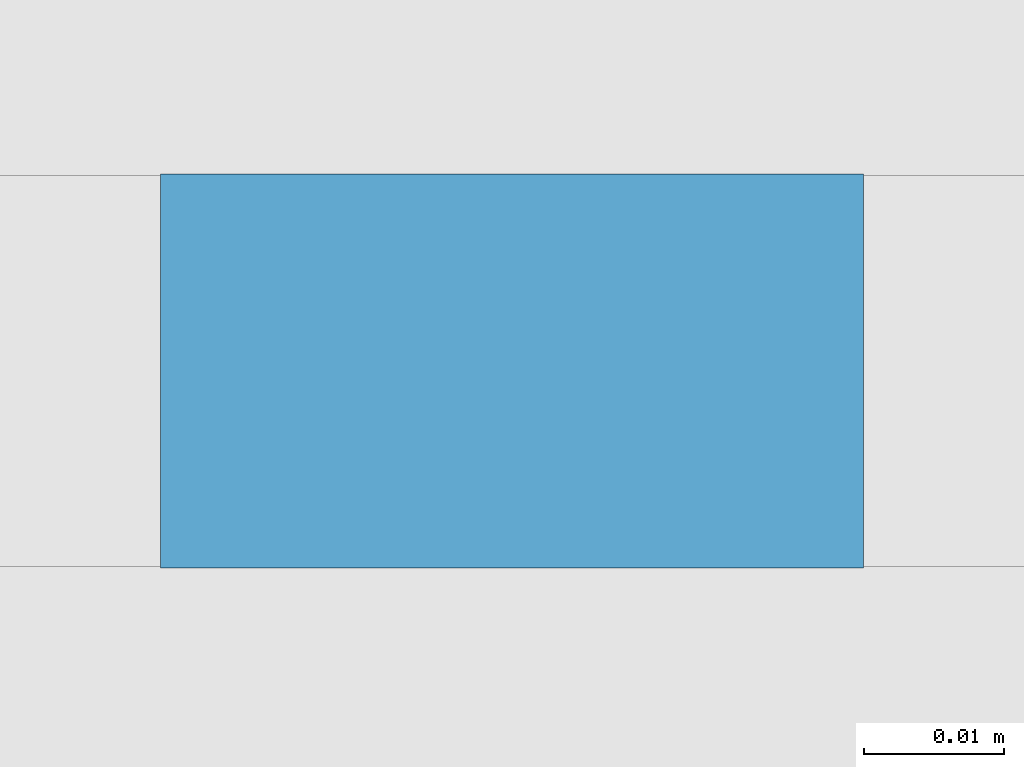
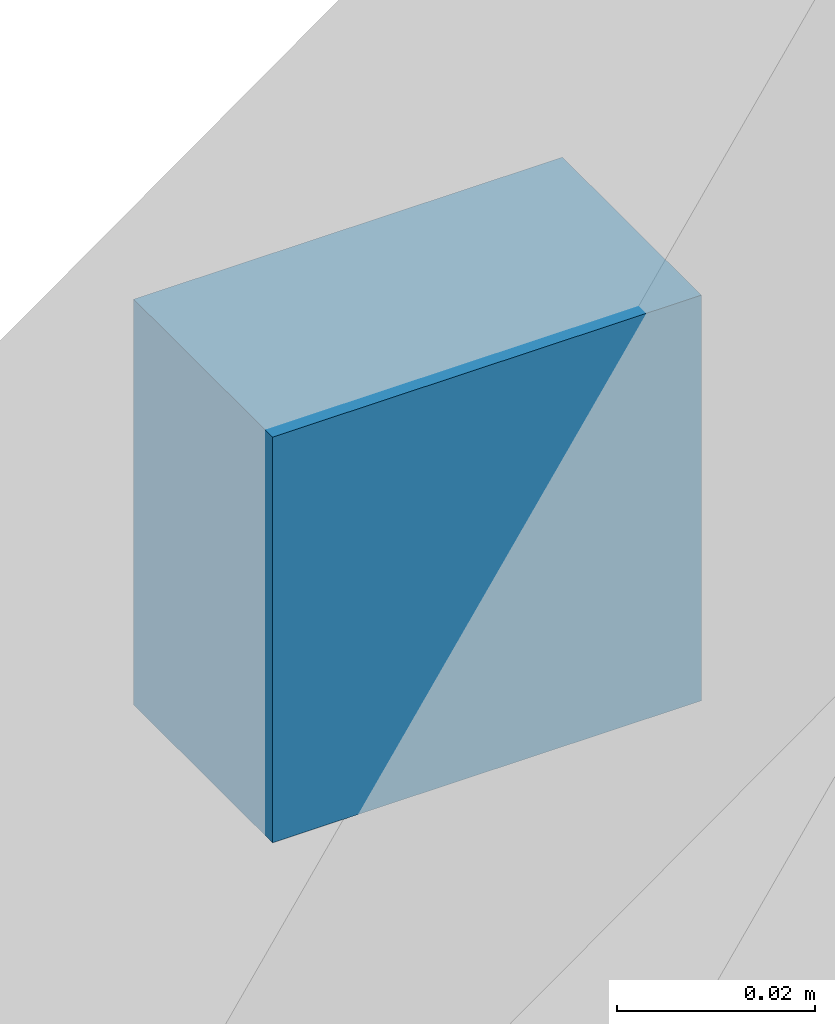
# One storey, part 11 of 16: 1 discrete accessory, 1 element without a shape of its own.
"""IFC4 building model written with IfcOpenShell, lengths in metres."""

from ifc_helpers import new_model, si_unit, direction, frame, origin, origin_2d, place, context, subcontext, project, spatial, rectangle, extrude, material, type_object, element, aggregate, save


model = new_model("IFC4")

# Units and contexts
model_context = context("Model", 3, precision=1e-05, world=origin(), true_north=direction((0.0, 1.0)))
body_context = subcontext(model_context, "Body", "Model", "MODEL_VIEW")
ifc_project = project(units=[si_unit("LENGTHUNIT", "METRE"), si_unit("AREAUNIT", "SQUARE_METRE"), si_unit("VOLUMEUNIT", "CUBIC_METRE"), si_unit("PLANEANGLEUNIT", "RADIAN"), si_unit("MASSUNIT", "GRAM", prefix="KILO")], contexts=[model_context])

# Site, building, storey
site_placement = place(None, origin())
site = spatial("IfcSite", under=ifc_project, at=site_placement, CompositionType="ELEMENT")
building_placement = place(site_placement, origin())
building = spatial("IfcBuilding", under=site, at=building_placement, Name="Tessera Arch", CompositionType="ELEMENT")
storey_placement = place(building_placement, frame((0.0, 0.0, 218.89990234375)))
storey = spatial("IfcBuildingStorey", under=building, at=storey_placement, Name="L52", CompositionType="ELEMENT", Elevation=218.89990234375)

# Curtain wall, discrete accessory
ifc_material = material(Name="CW3 curtain wall")
curtain_wall_type = type_object("IfcCurtainWallType", Name="CW3 curtain wall", PredefinedType="NOTDEFINED", material=ifc_material)
curtain_wall_placement = place(storey_placement, origin())
curtain_wall = element("IfcCurtainWall", 1, at=curtain_wall_placement, inside=storey, type_object=curtain_wall_type, Name="CW3 curtain wall N54.0/1 L52", PredefinedType="NOTDEFINED")
discrete_accessory_placement = place(storey_placement, frame((13.303955078125, 54.0439453125, 0.2666015625), z_axis=(0.0, 0.0, 1.0), x_axis=(-1.0, 0.0, 0.0)))
discrete_accessory = element("IfcDiscreteAccessory", 2, at=discrete_accessory_placement, Name="Glazing bracket", PredefinedType="BRACKET", context=body_context, shape_type="SweptSolid", body=[
    extrude(rectangle(XDim=0.050048828125, YDim=0.028076171875, at=origin_2d()), origin(), (0.0, 0.0, 1.0), 0.050048828125),
])
aggregate(curtain_wall, [discrete_accessory])

save(model, "model.ifc")
